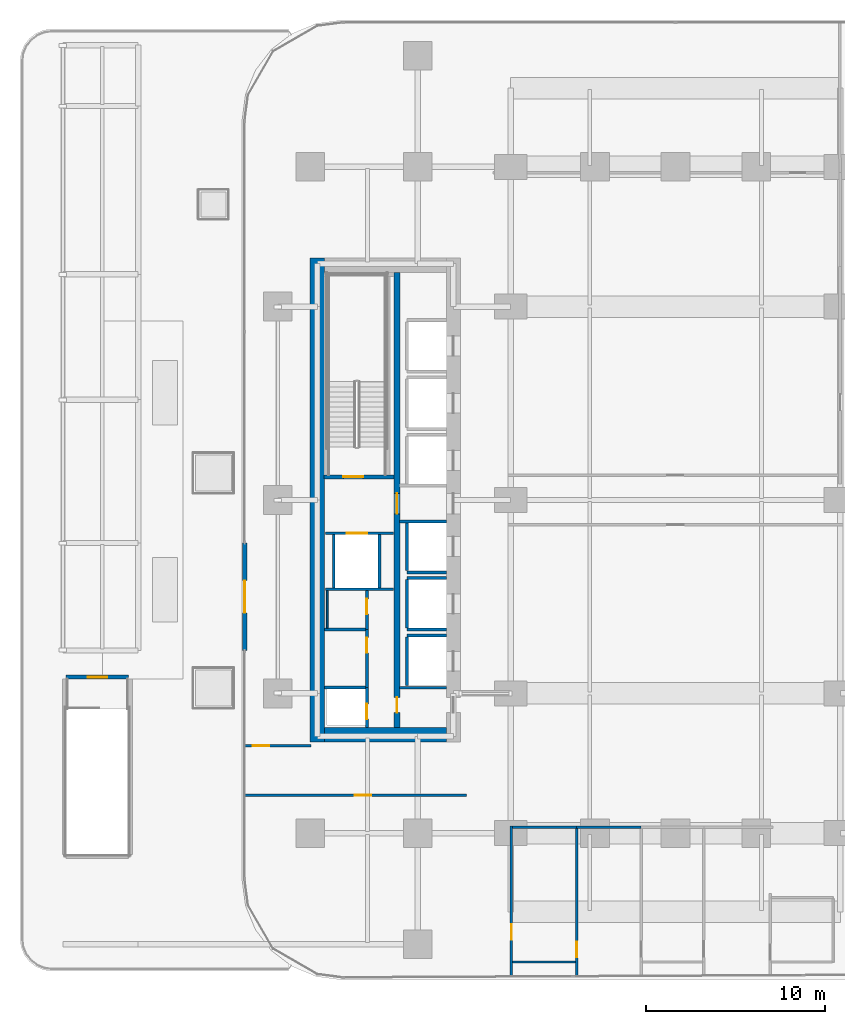
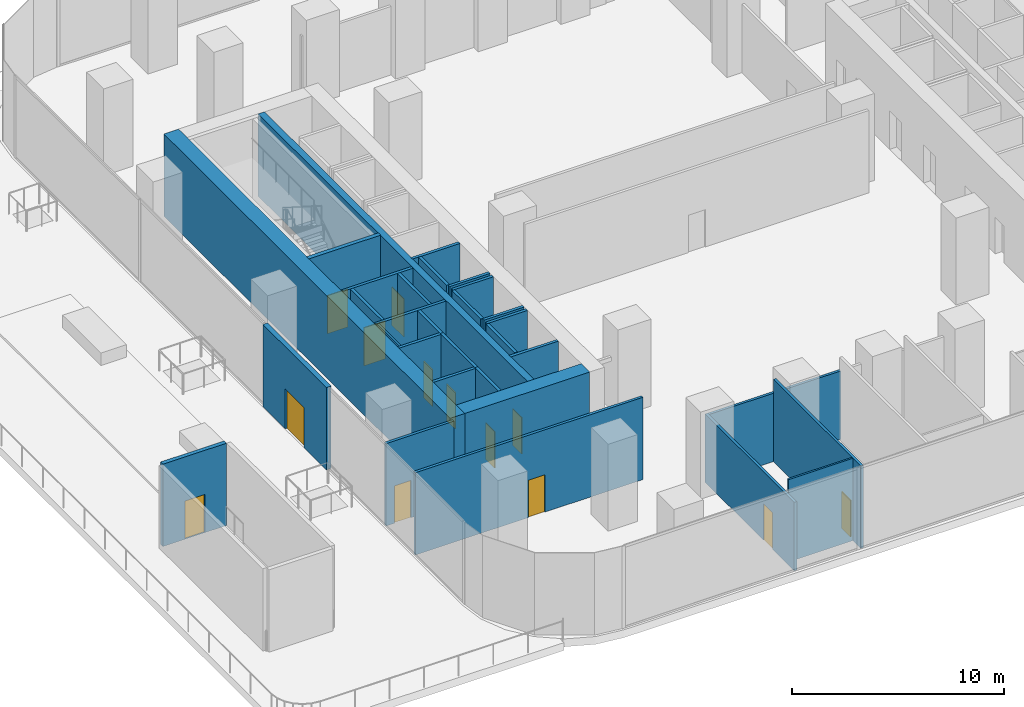
# One storey, part 6 of 21: 32 walls, 13 doors, 13 openings.
"""IFC4 building model written with IfcOpenShell, lengths in metres."""

from ifc_helpers import new_model, si_unit, direction, frame, frame_2d, origin, place, context, subcontext, project, spatial, rectangle, extrude, material, layer, layer_set, type_object, element, fill, save


model = new_model("IFC4")

# Units and contexts
model_context = context("Model", 3, precision=1e-05, world=origin(), true_north=direction((0.0, 1.0)))
body_context = subcontext(model_context, "Body", "Model", "MODEL_VIEW")
ifc_project = project(units=[si_unit("LENGTHUNIT", "METRE"), si_unit("AREAUNIT", "SQUARE_METRE"), si_unit("VOLUMEUNIT", "CUBIC_METRE"), si_unit("PLANEANGLEUNIT", "RADIAN"), si_unit("MASSUNIT", "GRAM", prefix="KILO")], contexts=[model_context])

# Site, building, storey
site_placement = place(None, origin())
site = spatial("IfcSite", under=ifc_project, at=site_placement, CompositionType="ELEMENT")
building_placement = place(site_placement, origin())
building = spatial("IfcBuilding", under=site, at=building_placement, Name="Khairoan Windgate Tower", CompositionType="ELEMENT")
storey_placement = place(building_placement, frame((0.0, 0.0, 21.0)))
storey = spatial("IfcBuildingStorey", under=building, at=storey_placement, Name="L05", CompositionType="ELEMENT", Elevation=21.0)

# Walls
ifc_material_1 = material(Name="Moisture-Resistant Gypsum Partition", Category="gypsum")
ifc_layer_1 = layer(ifc_material_1, 0.10009765625, Name="Moisture-Resistant Gypsum Partition")
ifc_layer_set_1 = layer_set([ifc_layer_1], Name="Moisture-Resistant Gypsum Partition")
wall_type_1 = type_object("IfcWallType", Name="Bathroom Wet-Area Partition Wall", PredefinedType="PARTITIONING", material=ifc_layer_set_1)
wall_1_placement = place(storey_placement, frame((-19.449951171875, -7.14990234375, 0.0), z_axis=(0.0, 0.0, 1.0), x_axis=(0.0, 1.0, 0.0)))
element("IfcWall", 1, at=wall_1_placement, inside=storey, type_object=wall_type_1, Name="L05 Wet Room Side Wall 030", PredefinedType="PARTITIONING", context=body_context, shape_type="SweptSolid", body=[
    extrude(rectangle(XDim=2.08984375, YDim=0.10009765625, at=frame_2d((1.044921875, 0.0))), origin(), (0.0, 0.0, 1.0), 4.739990234375),
])
wall_2_placement = place(storey_placement, frame((-5.590087890625, -25.800048828125, 0.0), z_axis=(0.0, 0.0, 1.0), x_axis=(-1.0, 0.0, 0.0)))
element("IfcWall", 2, at=wall_2_placement, inside=storey, type_object=wall_type_1, Name="L05 Wet Room Side Wall 032", PredefinedType="PARTITIONING", context=body_context, shape_type="SweptSolid", body=[
    extrude(rectangle(XDim=3.5, YDim=0.10009765625, at=frame_2d((1.75, 0.0))), origin(), (0.0, 0.0, 1.0), 4.739990234375),
])
ifc_material_2 = material(Name="Concrete C40/50", Category="concrete")
ifc_layer_2 = layer(ifc_material_2, 0.159912109375, Name="Concrete C40/50")
ifc_layer_set_2 = layer_set([ifc_layer_2], Name="Concrete C40/50")
wall_type_2 = type_object("IfcWallType", Name="Core and Hoistway Enclosure Wall", PredefinedType="STANDARD", material=ifc_layer_set_2)
wall_3_placement = place(storey_placement, frame((-14.989990234375, -4.0400390625, 0.0), z_axis=(0.0, 0.0, 1.0), x_axis=(1.0, 0.0, 0.0)))
element("IfcWall", 3, at=wall_3_placement, inside=storey, type_object=wall_type_2, Name="L05 Lift PL4 Hoistway Divider S", PredefinedType="STANDARD", context=body_context, shape_type="SweptSolid", body=[
    extrude(rectangle(XDim=2.18994140625, YDim=0.159912109375, at=frame_2d((1.094970703125, 0.0))), origin(), (0.0, 0.0, 1.0), 4.739990234375),
])
wall_4_placement = place(storey_placement, frame((-14.989990234375, -3.949951171875, 0.0), z_axis=(0.0, 0.0, 1.0), x_axis=(0.0, 1.0, 0.0)))
element("IfcWall", 4, at=wall_4_placement, inside=storey, type_object=wall_type_2, Name="L05 Lift PL4 Hoistway Back Wall", PredefinedType="STANDARD", context=body_context, shape_type="SweptSolid", body=[
    extrude(rectangle(XDim=2.699951171875, YDim=0.159912109375, at=frame_2d((1.35009765625, 0.0))), origin(), (0.0, 0.0, 1.0), 4.739990234375),
])
for number, where, z_axis, x_axis, name in (
    (5, (-14.989990234375, -7.239990234375, 0.0), (0.0, 0.0, 1.0), (1.0, 0.0, 0.0), "L05 Lift PL5 Hoistway Divider S"),
    (6, (-14.989990234375, -4.360107421875, 0.0), (0.0, 0.0, 1.0), (1.0, 0.0, 0.0), "L05 Lift PL5 Hoistway Divider N"),
):
    element("IfcWall", number, at=place(storey_placement, frame(where, z_axis=z_axis, x_axis=x_axis)), inside=storey, type_object=wall_type_2, Name=name, PredefinedType="STANDARD", context=body_context, shape_type="SweptSolid", body=[
        extrude(rectangle(XDim=2.18994140625, YDim=0.159912109375, at=frame_2d((1.094970703125, 0.0))), origin(), (0.0, 0.0, 1.0), 4.739990234375),
    ])
wall_5_placement = place(storey_placement, frame((-14.989990234375, -7.14990234375, 0.0), z_axis=(0.0, 0.0, 1.0), x_axis=(0.0, 1.0, 0.0)))
element("IfcWall", 7, at=wall_5_placement, inside=storey, type_object=wall_type_2, Name="L05 Lift PL5 Hoistway Back Wall", PredefinedType="STANDARD", context=body_context, shape_type="SweptSolid", body=[
    extrude(rectangle(XDim=2.699951171875, YDim=0.159912109375, at=frame_2d((1.35009765625, 0.0))), origin(), (0.0, 0.0, 1.0), 4.739990234375),
])
wall_6_placement = place(storey_placement, frame((-14.989990234375, -7.56005859375, 0.0), z_axis=(0.0, 0.0, 1.0), x_axis=(1.0, 0.0, 0.0)))
element("IfcWall", 8, at=wall_6_placement, inside=storey, type_object=wall_type_2, Name="L05 Lift PL6 Hoistway Divider N", PredefinedType="STANDARD", context=body_context, shape_type="SweptSolid", body=[
    extrude(rectangle(XDim=2.18994140625, YDim=0.159912109375, at=frame_2d((1.094970703125, 0.0))), origin(), (0.0, 0.0, 1.0), 4.739990234375),
])
wall_7_placement = place(storey_placement, frame((-14.989990234375, -10.35009765625, 0.0), z_axis=(0.0, 0.0, 1.0), x_axis=(0.0, 1.0, 0.0)))
element("IfcWall", 9, at=wall_7_placement, inside=storey, type_object=wall_type_2, Name="L05 Lift PL6 Hoistway Back Wall", PredefinedType="STANDARD", context=body_context, shape_type="SweptSolid", body=[
    extrude(rectangle(XDim=2.7001953125, YDim=0.159912109375, at=frame_2d((1.35009765625, 0.0))), origin(), (0.0, 0.0, 1.0), 4.739990234375),
])

# Wall, opening, door
wall_8_placement = place(storey_placement, frame((-19.550048828125, -1.860107421875, 0.0), z_axis=(0.0, 0.0, 1.0), x_axis=(1.0, 0.0, 0.0)))
wall_8 = element("IfcWall", 10, at=wall_8_placement, inside=storey, type_object=wall_type_2, Name="L05 Core Shaft Wall SW-FL2-L05", PredefinedType="STANDARD", context=body_context, shape_type="SweptSolid", body=[
    extrude(rectangle(XDim=3.800048828125, YDim=0.159912109375, at=frame_2d((1.89990234375, 0.0))), origin(), (0.0, 0.0, 1.0), 4.739990234375),
])
opening_1_placement = place(wall_8_placement, frame((1.179931640625, 0.0, 0.0)))
opening_1 = element("IfcOpeningElement", 11, at=opening_1_placement, cuts=wall_8, Name="Opening LD-FL", PredefinedType="OPENING", context=body_context, shape_type="SweptSolid", body=[
    extrude(rectangle(XDim=1.14990234375, YDim=2.199951171875, at=frame_2d((0.574951171875, 1.10009765625))), frame((0.0, 0.08984375, 0.0), z_axis=(0.0, -1.0, 0.0), x_axis=(1.0, 0.0, 0.0)), (0.0, 0.0, 1.0), 0.179931640625),
])
ifc_material_3 = material(Name="Steel S355", Category="steel")
door_type_1 = type_object("IfcDoorType", Name="Firefighting Lift Sliding Landing Door LD-FL 1150x2200", OperationType="DOUBLE_DOOR_SLIDING", PredefinedType="DOOR", material=ifc_material_3)
door_1_placement = place(opening_1_placement, origin())
door_1 = element("IfcDoor", 12, at=door_1_placement, inside=storey, type_object=door_type_1, Name="L05 Firefighting Lift FL2 Landing Door", OperationType="DOUBLE_DOOR_SLIDING", OverallHeight=2.199951171875, OverallWidth=1.14990234375, PredefinedType="DOOR", context=body_context, shape_type="SweptSolid", body=[
    extrude(rectangle(XDim=1.14990234375, YDim=2.199951171875, at=frame_2d((0.574951171875, 1.10009765625))), frame((0.0, 0.02490234375, 0.0), z_axis=(0.0, -1.0, 0.0), x_axis=(1.0, 0.0, 0.0)), (0.0, 0.0, 1.0), 0.050048828125),
])
fill(opening_1, door_1)

# Walls
wall_9_placement = place(storey_placement, frame((-19.550048828125, -4.97998046875, 0.0), z_axis=(0.0, 0.0, 1.0), x_axis=(1.0, 0.0, 0.0)))
element("IfcWall", 13, at=wall_9_placement, inside=storey, type_object=wall_type_2, Name="L05 Core Shaft Wall SW-FL2B-L05", PredefinedType="STANDARD", context=body_context, shape_type="SweptSolid", body=[
    extrude(rectangle(XDim=3.800048828125, YDim=0.159912109375, at=frame_2d((1.89990234375, 0.0))), origin(), (0.0, 0.0, 1.0), 4.739990234375),
])
for number, where, z_axis, x_axis, name in (
    (14, (-19.080078125, -4.89990234375, 0.0), (0.0, 0.0, 1.0), (0.0, 1.0, 0.0), "L05 Core Shaft Wall SW-FL2W-L05"),
    (15, (-16.52001953125, -4.89990234375, 0.0), (0.0, 0.0, 1.0), (0.0, 1.0, 0.0), "L05 Core Shaft Wall SW-FL2E-L05"),
):
    element("IfcWall", number, at=place(storey_placement, frame(where, z_axis=z_axis, x_axis=x_axis)), inside=storey, type_object=wall_type_2, Name=name, PredefinedType="STANDARD", context=body_context, shape_type="SweptSolid", body=[
        extrude(rectangle(XDim=2.9599609375, YDim=0.159912109375, at=frame_2d((1.47998046875, 0.0))), origin(), (0.0, 0.0, 1.0), 4.739990234375),
    ])
for number, where, z_axis, x_axis, name in (
    (16, (-15.39990234375, -1.199951171875, 0.0), (0.0, 0.0, 1.0), (1.0, 0.0, 0.0), "L05 Core Shaft Wall SW-WV2-L05"),
    (17, (-15.39990234375, -10.47998046875, 0.0), (0.0, 0.0, 1.0), (1.0, 0.0, 0.0), "L05 Core Shaft Wall SW-WSV-L05"),
):
    element("IfcWall", number, at=place(storey_placement, frame(where, z_axis=z_axis, x_axis=x_axis)), inside=storey, type_object=wall_type_2, Name=name, PredefinedType="STANDARD", context=body_context, shape_type="SweptSolid", body=[
        extrude(rectangle(XDim=2.599853515625, YDim=0.159912109375, at=frame_2d((1.2998046875, 0.0))), origin(), (0.0, 0.0, 1.0), 4.739990234375),
    ])

# Wall, opening, door
ifc_material_4 = material(Name="Precast Concrete C40/50", Category="concrete")
ifc_layer_3 = layer(ifc_material_4, 0.260009765625, Name="Precast Concrete C40/50")
ifc_layer_set_3 = layer_set([ifc_layer_3], Name="Precast Concrete C40/50")
wall_type_3 = type_object("IfcWallType", Name="Insulated Tower Facade Wall EW2 260mm", PredefinedType="STANDARD", material=ifc_layer_set_3)
wall_10_placement = place(storey_placement, frame((-24.06005859375, -8.39990234375, 0.0), z_axis=(0.0, 0.0, 1.0), x_axis=(0.0, 1.0, 0.0)))
wall_10 = element("IfcWall", 18, at=wall_10_placement, inside=storey, type_object=wall_type_3, Name="L05 West Terrace Access Wall", PredefinedType="STANDARD", context=body_context, shape_type="SweptSolid", body=[
    extrude(rectangle(XDim=6.0, YDim=0.260009765625, at=frame_2d((3.0, 0.0))), origin(), (0.0, 0.0, 1.0), 4.739990234375),
])
opening_2_placement = place(wall_10_placement, frame((2.10009765625, 0.0, 0.0)))
opening_2 = element("IfcOpeningElement", 19, at=opening_2_placement, cuts=wall_10, Name="Opening TD1", PredefinedType="OPENING", context=body_context, shape_type="SweptSolid", body=[
    extrude(rectangle(XDim=1.800048828125, YDim=2.300048828125, at=frame_2d((0.89990234375, 1.14990234375))), frame((0.0, 0.139892578125, 0.0), z_axis=(0.0, -1.0, 0.0), x_axis=(1.0, 0.0, 0.0)), (0.0, 0.0, 1.0), 0.280029296875),
])
ifc_material_5 = material(Name="Anodised Bronze Aluminium 6063-T6", Category="aluminium")
door_type_2 = type_object("IfcDoorType", Name="Glazed Double Terrace Door TD-1800", OperationType="DOUBLE_DOOR_SINGLE_SWING", PredefinedType="DOOR", material=ifc_material_5)
door_2_placement = place(opening_2_placement, origin())
door_2 = element("IfcDoor", 20, at=door_2_placement, inside=storey, type_object=door_type_2, Name="West Podium Roof Terrace Door TD-01", OperationType="DOUBLE_DOOR_SINGLE_SWING", OverallHeight=2.300048828125, OverallWidth=1.800048828125, PredefinedType="DOOR", context=body_context, shape_type="SweptSolid", body=[
    extrude(rectangle(XDim=1.800048828125, YDim=2.300048828125, at=frame_2d((0.89990234375, 1.14990234375))), frame((0.0, 0.02490234375, 0.0), z_axis=(0.0, -1.0, 0.0), x_axis=(1.0, 0.0, 0.0)), (0.0, 0.0, 1.0), 0.050048828125),
])
fill(opening_2, door_2)

ifc_material_6 = material(Name="Acoustic Fire-Rated Gypsum Partition", Category="gypsum")
ifc_layer_4 = layer(ifc_material_6, 0.139892578125, Name="Acoustic Fire-Rated Gypsum Partition")
ifc_layer_set_4 = layer_set([ifc_layer_4], Name="Acoustic Fire-Rated Gypsum Partition")
wall_type_4 = type_object("IfcWallType", Name="Inter-Tenancy Compartment Wall", PredefinedType="PARTITIONING", material=ifc_layer_set_4)
wall_11_placement = place(storey_placement, frame((-9.159912109375, -26.609375, 0.0), z_axis=(0.0, 0.0, 1.0), x_axis=(0.0, 1.0, 0.0)))
wall_11 = element("IfcWall", 21, at=wall_11_placement, inside=storey, type_object=wall_type_4, Name="L05 Interior Partition 020", PredefinedType="PARTITIONING", context=body_context, shape_type="SweptSolid", body=[
    extrude(rectangle(XDim=8.3994140625, YDim=0.139892578125, at=frame_2d((4.19970703125, 0.0))), origin(), (0.0, 0.0, 1.0), 3.93994140625),
])
opening_3_placement = place(wall_11_placement, frame((2.067138671875, 0.0, 0.0)))
opening_3 = element("IfcOpeningElement", 22, at=opening_3_placement, cuts=wall_11, Name="Opening FD-SRV", PredefinedType="OPENING", context=body_context, shape_type="SweptSolid", body=[
    extrude(rectangle(XDim=0.85009765625, YDim=2.10009765625, at=frame_2d((0.425048828125, 1.050048828125))), frame((0.0, 0.079833984375, 0.0), z_axis=(0.0, -1.0, 0.0), x_axis=(1.0, 0.0, 0.0)), (0.0, 0.0, 1.0), 0.159912109375),
])
ifc_material_7 = material(Name="Steel S355", Category="steel")
door_type_3 = type_object("IfcDoorType", Name="Core Service and Riser Fire Door FD-SRV 850x2100", OperationType="NOTDEFINED", PredefinedType="DOOR", material=ifc_material_7)
door_3_placement = place(opening_3_placement, origin())
door_3 = element("IfcDoor", 23, at=door_3_placement, inside=storey, type_object=door_type_3, Name="L05 L05-37-L05-41 Door", OperationType="SINGLE_SWING_LEFT", OverallHeight=2.10009765625, OverallWidth=0.85009765625, PredefinedType="DOOR", context=body_context, shape_type="SweptSolid", body=[
    extrude(rectangle(XDim=0.85009765625, YDim=2.10009765625, at=frame_2d((0.425048828125, 1.050048828125))), frame((0.0, 0.02490234375, 0.0), z_axis=(0.0, -1.0, 0.0), x_axis=(1.0, 0.0, 0.0)), (0.0, 0.0, 1.0), 0.050048828125),
])
fill(opening_3, door_3)

# Walls
wall_12_placement = place(storey_placement, frame((-9.090087890625, -18.280029296875, 0.0), z_axis=(0.0, 0.0, 1.0), x_axis=(1.0, 0.0, 0.0)))
element("IfcWall", 24, at=wall_12_placement, inside=storey, type_object=wall_type_4, Name="L05 Interior Partition 022", PredefinedType="PARTITIONING", context=body_context, shape_type="SweptSolid", body=[
    extrude(rectangle(XDim=3.570068359375, YDim=0.139892578125, at=frame_2d((1.78515625, 0.0))), origin(), (0.0, 0.0, 1.0), 3.93994140625),
])
wall_13_placement = place(storey_placement, frame((-5.52001953125, -18.280029296875, 0.0), z_axis=(0.0, 0.0, 1.0), x_axis=(1.0, 0.0, 0.0)))
element("IfcWall", 25, at=wall_13_placement, inside=storey, type_object=wall_type_4, Name="L05 Interior Partition 023", PredefinedType="PARTITIONING", context=body_context, shape_type="SweptSolid", body=[
    extrude(rectangle(XDim=3.60009765625, YDim=0.139892578125, at=frame_2d((1.800048828125, 0.0))), origin(), (0.0, 0.0, 1.0), 3.93994140625),
])

# Wall, opening, door
wall_14_placement = place(storey_placement, frame((-5.52001953125, -26.591552734375, 0.0), z_axis=(0.0, 0.0, 1.0), x_axis=(0.0, 1.0, 0.0)))
wall_14 = element("IfcWall", 26, at=wall_14_placement, inside=storey, type_object=wall_type_4, Name="L05 Interior Partition 026", PredefinedType="PARTITIONING", context=body_context, shape_type="SweptSolid", body=[
    extrude(rectangle(XDim=8.241455078125, YDim=0.139892578125, at=frame_2d((4.12060546875, 0.0))), origin(), (0.0, 0.0, 1.0), 4.739990234375),
])
opening_4_placement = place(wall_14_placement, frame((1.066650390625, 0.0, 0.0)))
opening_4 = element("IfcOpeningElement", 27, at=opening_4_placement, cuts=wall_14, Name="Opening FD-SRV", PredefinedType="OPENING", context=body_context, shape_type="SweptSolid", body=[
    extrude(rectangle(XDim=0.85009765625, YDim=2.10009765625, at=frame_2d((0.425048828125, 1.050048828125))), frame((0.0, 0.079833984375, 0.0), z_axis=(0.0, -1.0, 0.0), x_axis=(1.0, 0.0, 0.0)), (0.0, 0.0, 1.0), 0.159912109375),
])
door_4_placement = place(opening_4_placement, origin())
door_4 = element("IfcDoor", 28, at=door_4_placement, inside=storey, type_object=door_type_3, Name="L05 L05-41-L05-42 Door", OperationType="SINGLE_SWING_RIGHT", OverallHeight=2.10009765625, OverallWidth=0.85009765625, PredefinedType="DOOR", context=body_context, shape_type="SweptSolid", body=[
    extrude(rectangle(XDim=0.85009765625, YDim=2.10009765625, at=frame_2d((0.425048828125, 1.050048828125))), frame((0.0, 0.02490234375, 0.0), z_axis=(0.0, -1.0, 0.0), x_axis=(1.0, 0.0, 0.0)), (0.0, 0.0, 1.0), 0.050048828125),
])
fill(opening_4, door_4)

ifc_material_8 = material(Name="Concrete C40/50", Category="concrete")
ifc_layer_5 = layer(ifc_material_8, 0.159912109375, Name="Concrete C40/50")
ifc_layer_set_5 = layer_set([ifc_layer_5], Name="Concrete C40/50")
wall_type_5 = type_object("IfcWallType", Name="Plant and Refuge Compartment Wall", PredefinedType="PARTITIONING", material=ifc_layer_set_5)
wall_15_placement = place(storey_placement, frame((-17.22998046875, -12.699951171875, 0.0), z_axis=(0.0, 0.0, 1.0), x_axis=(0.0, 1.0, 0.0)))
wall_15 = element("IfcWall", 29, at=wall_15_placement, inside=storey, type_object=wall_type_5, Name="L05 Interior Partition 001", PredefinedType="PARTITIONING", context=body_context, shape_type="SweptSolid", body=[
    extrude(rectangle(XDim=2.22998046875, YDim=0.159912109375, at=frame_2d((1.114990234375, 0.0))), origin(), (0.0, 0.0, 1.0), 4.739990234375),
])
opening_5_placement = place(wall_15_placement, frame((0.4599609375, 0.0, 0.0)))
opening_5 = element("IfcOpeningElement", 30, at=opening_5_placement, cuts=wall_15, Name="Opening FD-SRV", PredefinedType="OPENING", context=body_context, shape_type="SweptSolid", body=[
    extrude(rectangle(XDim=0.85009765625, YDim=2.10009765625, at=frame_2d((0.425048828125, 1.050048828125))), frame((0.0, 0.08984375, 0.0), z_axis=(0.0, -1.0, 0.0), x_axis=(1.0, 0.0, 0.0)), (0.0, 0.0, 1.0), 0.179931640625),
])
door_5_placement = place(opening_5_placement, origin())
door_5 = element("IfcDoor", 31, at=door_5_placement, inside=storey, type_object=door_type_3, Name="L05 L05-04-L05-05 Door", OperationType="SINGLE_SWING_LEFT", OverallHeight=2.10009765625, OverallWidth=0.85009765625, PredefinedType="DOOR", context=body_context, shape_type="SweptSolid", body=[
    extrude(rectangle(XDim=0.85009765625, YDim=2.10009765625, at=frame_2d((0.425048828125, 1.050048828125))), frame((0.0, 0.02490234375, 0.0), z_axis=(0.0, -1.0, 0.0), x_axis=(1.0, 0.0, 0.0)), (0.0, 0.0, 1.0), 0.050048828125),
])
fill(opening_5, door_5)

wall_16_placement = place(storey_placement, frame((-17.22998046875, -7.22998046875, 0.0), z_axis=(0.0, 0.0, 1.0), x_axis=(0.0, 1.0, 0.0)))
wall_16 = element("IfcWall", 32, at=wall_16_placement, inside=storey, type_object=wall_type_5, Name="L05 Interior Partition 002", PredefinedType="PARTITIONING", context=body_context, shape_type="SweptSolid", body=[
    extrude(rectangle(XDim=2.169921875, YDim=0.159912109375, at=frame_2d((1.0849609375, 0.0))), origin(), (0.0, 0.0, 1.0), 4.739990234375),
])
opening_6_placement = place(wall_16_placement, frame((0.860107421875, 0.0, 0.0)))
opening_6 = element("IfcOpeningElement", 33, at=opening_6_placement, cuts=wall_16, Name="Opening FD-SRV", PredefinedType="OPENING", context=body_context, shape_type="SweptSolid", body=[
    extrude(rectangle(XDim=0.85009765625, YDim=2.10009765625, at=frame_2d((0.425048828125, 1.050048828125))), frame((0.0, 0.08984375, 0.0), z_axis=(0.0, -1.0, 0.0), x_axis=(1.0, 0.0, 0.0)), (0.0, 0.0, 1.0), 0.179931640625),
])
door_6_placement = place(opening_6_placement, origin())
door_6 = element("IfcDoor", 34, at=door_6_placement, inside=storey, type_object=door_type_3, Name="L05 L05-04-L05-06 Door", OperationType="SINGLE_SWING_RIGHT", OverallHeight=2.10009765625, OverallWidth=0.85009765625, PredefinedType="DOOR", context=body_context, shape_type="SweptSolid", body=[
    extrude(rectangle(XDim=0.85009765625, YDim=2.10009765625, at=frame_2d((0.425048828125, 1.050048828125))), frame((0.0, 0.02490234375, 0.0), z_axis=(0.0, -1.0, 0.0), x_axis=(1.0, 0.0, 0.0)), (0.0, 0.0, 1.0), 0.050048828125),
])
fill(opening_6, door_6)

wall_17_placement = place(storey_placement, frame((-17.22998046875, -10.469970703125, 0.0), z_axis=(0.0, 0.0, 1.0), x_axis=(0.0, 1.0, 0.0)))
wall_17 = element("IfcWall", 35, at=wall_17_placement, inside=storey, type_object=wall_type_5, Name="L05 Interior Partition 003", PredefinedType="PARTITIONING", context=body_context, shape_type="SweptSolid", body=[
    extrude(rectangle(XDim=3.239990234375, YDim=0.159912109375, at=frame_2d((1.6201171875, 0.0))), origin(), (0.0, 0.0, 1.0), 4.739990234375),
])
opening_7_placement = place(wall_17_placement, frame((1.929931640625, 0.0, 0.0)))
opening_7 = element("IfcOpeningElement", 36, at=opening_7_placement, cuts=wall_17, Name="Opening FD-SRV", PredefinedType="OPENING", context=body_context, shape_type="SweptSolid", body=[
    extrude(rectangle(XDim=0.85009765625, YDim=2.10009765625, at=frame_2d((0.425048828125, 1.050048828125))), frame((0.0, 0.08984375, 0.0), z_axis=(0.0, -1.0, 0.0), x_axis=(1.0, 0.0, 0.0)), (0.0, 0.0, 1.0), 0.179931640625),
])
door_7_placement = place(opening_7_placement, origin())
door_7 = element("IfcDoor", 37, at=door_7_placement, inside=storey, type_object=door_type_3, Name="L05 L05-04-L05-07 Door", OperationType="SINGLE_SWING_LEFT", OverallHeight=2.10009765625, OverallWidth=0.85009765625, PredefinedType="DOOR", context=body_context, shape_type="SweptSolid", body=[
    extrude(rectangle(XDim=0.85009765625, YDim=2.10009765625, at=frame_2d((0.425048828125, 1.050048828125))), frame((0.0, 0.02490234375, 0.0), z_axis=(0.0, -1.0, 0.0), x_axis=(1.0, 0.0, 0.0)), (0.0, 0.0, 1.0), 0.050048828125),
])
fill(opening_7, door_7)

# Walls
for number, where, z_axis, x_axis, name in (
    (38, (-19.60009765625, -10.469970703125, 0.0), (0.0, 0.0, 1.0), (1.0, 0.0, 0.0), "L05 Interior Partition 004"),
    (39, (-19.60009765625, -7.22998046875, 0.0), (0.0, 0.0, 1.0), (1.0, 0.0, 0.0), "L05 Interior Partition 005"),
):
    element("IfcWall", number, at=place(storey_placement, frame(where, z_axis=z_axis, x_axis=x_axis)), inside=storey, type_object=wall_type_5, Name=name, PredefinedType="PARTITIONING", context=body_context, shape_type="SweptSolid", body=[
        extrude(rectangle(XDim=2.2900390625, YDim=0.159912109375, at=frame_2d((1.14501953125, 0.0))), origin(), (0.0, 0.0, 1.0), 4.739990234375),
    ])

# Wall, opening, door
ifc_material_9 = material(Name="Acoustic Fire-Rated Gypsum Partition", Category="gypsum")
ifc_layer_6 = layer(ifc_material_9, 0.14990234375, Name="Acoustic Fire-Rated Gypsum Partition")
ifc_layer_set_6 = layer_set([ifc_layer_6], Name="Acoustic Fire-Rated Gypsum Partition")
wall_type_6 = type_object("IfcWallType", Name="Rated Corridor Partition Wall", PredefinedType="PARTITIONING", material=ifc_layer_set_6)
wall_18_placement = place(storey_placement, frame((-24.054931640625, -13.719970703125, 0.0), z_axis=(0.0, 0.0, 1.0), x_axis=(1.0, 0.0, 0.0)))
wall_18 = element("IfcWall", 40, at=wall_18_placement, inside=storey, type_object=wall_type_6, Name="L05 Interior Partition 014", PredefinedType="PARTITIONING", context=body_context, shape_type="SweptSolid", body=[
    extrude(rectangle(XDim=3.69482421875, YDim=0.14990234375, at=frame_2d((1.847412109375, 0.0))), origin(), (0.0, 0.0, 1.0), 4.739990234375),
])
opening_8_placement = place(wall_18_placement, frame((0.4599609375, 0.0, 0.0)))
opening_8 = element("IfcOpeningElement", 41, at=opening_8_placement, cuts=wall_18, Name="Opening FD-ENT", PredefinedType="OPENING", context=body_context, shape_type="SweptSolid", body=[
    extrude(rectangle(XDim=0.89990234375, YDim=2.14990234375, at=frame_2d((0.449951171875, 1.074951171875))), frame((0.0, 0.0849609375, 0.0), z_axis=(0.0, -1.0, 0.0), x_axis=(1.0, 0.0, 0.0)), (0.0, 0.0, 1.0), 0.169921875),
])
ifc_material_10 = material(Name="Timber Fire-Rated Core", Category="wood")
door_type_4 = type_object("IfcDoorType", Name="Unit and Office Fire Entrance Door FD-ENT 900x2150", OperationType="NOTDEFINED", PredefinedType="DOOR", material=ifc_material_10)
door_8_placement = place(opening_8_placement, origin())
door_8 = element("IfcDoor", 42, at=door_8_placement, inside=storey, type_object=door_type_4, Name="L05 L05-32-L05-34 Door", OperationType="SINGLE_SWING_RIGHT", OverallHeight=2.14990234375, OverallWidth=0.89990234375, PredefinedType="DOOR", context=body_context, shape_type="SweptSolid", body=[
    extrude(rectangle(XDim=0.89990234375, YDim=2.14990234375, at=frame_2d((0.449951171875, 1.074951171875))), frame((0.0, 0.02490234375, 0.0), z_axis=(0.0, -1.0, 0.0), x_axis=(1.0, 0.0, 0.0)), (0.0, 0.0, 1.0), 0.050048828125),
])
fill(opening_8, door_8)

wall_19_placement = place(storey_placement, frame((-24.054931640625, -16.47998046875, 0.0), z_axis=(0.0, 0.0, 1.0), x_axis=(1.0, 0.0, 0.0)))
wall_19 = element("IfcWall", 43, at=wall_19_placement, inside=storey, type_object=wall_type_6, Name="L05 Interior Partition 015", PredefinedType="PARTITIONING", context=body_context, shape_type="SweptSolid", body=[
    extrude(rectangle(XDim=12.39501953125, YDim=0.14990234375, at=frame_2d((6.197509765625, 0.0))), origin(), (0.0, 0.0, 1.0), 4.739990234375),
])
opening_9_placement = place(wall_19_placement, frame((6.154296875, 0.0, 0.0)))
opening_9 = element("IfcOpeningElement", 44, at=opening_9_placement, cuts=wall_19, Name="Opening FD-ENT", PredefinedType="OPENING", context=body_context, shape_type="SweptSolid", body=[
    extrude(rectangle(XDim=0.89990234375, YDim=2.14990234375, at=frame_2d((0.449951171875, 1.074951171875))), frame((0.0, 0.0849609375, 0.0), z_axis=(0.0, -1.0, 0.0), x_axis=(1.0, 0.0, 0.0)), (0.0, 0.0, 1.0), 0.169921875),
])
door_9_placement = place(opening_9_placement, origin())
door_9 = element("IfcDoor", 45, at=door_9_placement, inside=storey, type_object=door_type_4, Name="L05 L05-32-L05-37 Door", OperationType="SINGLE_SWING_LEFT", OverallHeight=2.14990234375, OverallWidth=0.89990234375, PredefinedType="DOOR", context=body_context, shape_type="SweptSolid", body=[
    extrude(rectangle(XDim=0.89990234375, YDim=2.14990234375, at=frame_2d((0.449951171875, 1.074951171875))), frame((0.0, 0.02490234375, 0.0), z_axis=(0.0, -1.0, 0.0), x_axis=(1.0, 0.0, 0.0)), (0.0, 0.0, 1.0), 0.050048828125),
])
fill(opening_9, door_9)

# Walls
ifc_material_11 = material(Name="Concrete C70/85", Category="concrete")
ifc_layer_7 = layer(ifc_material_11, 0.800048828125, Name="Concrete C70/85")
ifc_layer_set_7 = layer_set([ifc_layer_7], Name="Concrete C70/85")
wall_type_7 = type_object("IfcWallType", Name="Shear Wall CW-W1 800mm", PredefinedType="SHEAR", material=ifc_layer_set_7)
wall_20_placement = place(storey_placement, frame((-20.0, -13.5, 0.0), z_axis=(0.0, 0.0, 1.0), x_axis=(0.0, 1.0, 0.0)))
element("IfcWall", 46, at=wall_20_placement, inside=storey, type_object=wall_type_7, Name="W Core West Shear Wall L05", PredefinedType="SHEAR", context=body_context, shape_type="SweptSolid", body=[
    extrude(rectangle(XDim=27.0, YDim=0.800048828125, at=frame_2d((13.5, 0.0))), origin(), (0.0, 0.0, 1.0), 4.739990234375),
])
wall_21_placement = place(storey_placement, frame((-19.60009765625, -13.10009765625, 0.0), z_axis=(0.0, 0.0, 1.0), x_axis=(1.0, 0.0, 0.0)))
element("IfcWall", 47, at=wall_21_placement, inside=storey, type_object=wall_type_7, Name="W Core South Shear Wall L05", PredefinedType="SHEAR", context=body_context, shape_type="SweptSolid", body=[
    extrude(rectangle(XDim=6.800048828125, YDim=0.800048828125, at=frame_2d((3.39990234375, 0.0))), origin(), (0.0, 0.0, 1.0), 4.739990234375),
])

# Wall, openings, doors
ifc_material_12 = material(Name="Concrete C60/75", Category="concrete")
ifc_layer_8 = layer(ifc_material_12, 0.35009765625, Name="Concrete C60/75")
ifc_layer_set_8 = layer_set([ifc_layer_8], Name="Concrete C60/75")
wall_type_8 = type_object("IfcWallType", Name="Shear Wall SW-1 350mm", PredefinedType="SHEAR", material=ifc_layer_set_8)
wall_22_placement = place(storey_placement, frame((-15.550048828125, -12.699951171875, 0.0), z_axis=(0.0, 0.0, 1.0), x_axis=(0.0, 1.0, 0.0)))
wall_22 = element("IfcWall", 48, at=wall_22_placement, inside=storey, type_object=wall_type_8, Name="W Core Spine Shear Wall L05", PredefinedType="SHEAR", context=body_context, shape_type="SweptSolid", body=[
    extrude(rectangle(XDim=25.39990234375, YDim=0.35009765625, at=frame_2d((12.699951171875, 0.0))), origin(), (0.0, 0.0, 1.0), 4.739990234375),
])
opening_10_placement = place(wall_22_placement, frame((11.925048828125, 0.0, 0.0)))
opening_10 = element("IfcOpeningElement", 49, at=opening_10_placement, cuts=wall_22, Name="Opening FD-FFL", PredefinedType="OPENING", context=body_context, shape_type="SweptSolid", body=[
    extrude(rectangle(XDim=1.14990234375, YDim=2.199951171875, at=frame_2d((0.574951171875, 1.10009765625))), frame((0.0, 0.18505859375, 0.0), z_axis=(0.0, -1.0, 0.0), x_axis=(1.0, 0.0, 0.0)), (0.0, 0.0, 1.0), 0.3701171875),
])
opening_11_placement = place(wall_22_placement, frame((0.824951171875, 0.0, 0.0)))
opening_11 = element("IfcOpeningElement", 50, at=opening_11_placement, cuts=wall_22, Name="Opening FD-SRV", PredefinedType="OPENING", context=body_context, shape_type="SweptSolid", body=[
    extrude(rectangle(XDim=0.85009765625, YDim=2.10009765625, at=frame_2d((0.425048828125, 1.050048828125))), frame((0.0, 0.18505859375, 0.0), z_axis=(0.0, -1.0, 0.0), x_axis=(1.0, 0.0, 0.0)), (0.0, 0.0, 1.0), 0.3701171875),
])
door_10_placement = place(opening_11_placement, origin())
door_10 = element("IfcDoor", 51, at=door_10_placement, inside=storey, type_object=door_type_3, Name="L05 West Core Service Passage Inner Door", OperationType="SINGLE_SWING_RIGHT", OverallHeight=2.10009765625, OverallWidth=0.85009765625, PredefinedType="DOOR", context=body_context, shape_type="SweptSolid", body=[
    extrude(rectangle(XDim=0.85009765625, YDim=2.10009765625, at=frame_2d((0.425048828125, 1.050048828125))), frame((0.0, 0.02490234375, 0.0), z_axis=(0.0, -1.0, 0.0), x_axis=(1.0, 0.0, 0.0)), (0.0, 0.0, 1.0), 0.050048828125),
])
fill(opening_11, door_10)
ifc_material_13 = material(Name="Steel S355", Category="steel")
door_type_5 = type_object("IfcDoorType", Name="Firefighting Lobby Fire Door FD-FFL 1150x2200", OperationType="NOTDEFINED", PredefinedType="DOOR", material=ifc_material_13)
door_11_placement = place(opening_10_placement, origin())
door_11 = element("IfcDoor", 52, at=door_11_placement, inside=storey, type_object=door_type_5, Name="L05 West Firefighting Lobby Fire Door", OperationType="SINGLE_SWING_RIGHT", OverallHeight=2.199951171875, OverallWidth=1.14990234375, PredefinedType="DOOR", context=body_context, shape_type="SweptSolid", body=[
    extrude(rectangle(XDim=1.14990234375, YDim=2.199951171875, at=frame_2d((0.574951171875, 1.10009765625))), frame((0.0, 0.02490234375, 0.0), z_axis=(0.0, -1.0, 0.0), x_axis=(1.0, 0.0, 0.0)), (0.0, 0.0, 1.0), 0.050048828125),
])
fill(opening_10, door_11)

# Wall, opening, door
ifc_material_14 = material(Name="Concrete C50/60", Category="concrete")
ifc_layer_9 = layer(ifc_material_14, 0.219970703125, Name="Concrete C50/60")
ifc_layer_set_9 = layer_set([ifc_layer_9], Name="Concrete C50/60")
wall_type_9 = type_object("IfcWallType", Name="Shear Wall SW-ST 220mm", PredefinedType="SHEAR", material=ifc_layer_set_9)
wall_23_placement = place(storey_placement, frame((-19.6201171875, 1.2900390625, 0.0), z_axis=(0.0, 0.0, 1.0), x_axis=(1.0, 0.0, 0.0)))
wall_23 = element("IfcWall", 53, at=wall_23_placement, inside=storey, type_object=wall_type_9, Name="L05 Stair ST2 South Bearing Wall", PredefinedType="SHEAR", context=body_context, shape_type="SweptSolid", body=[
    extrude(rectangle(XDim=3.9150390625, YDim=0.219970703125, at=frame_2d((1.95751953125, 0.0))), origin(), (0.0, 0.0, 1.0), 4.739990234375),
])
opening_12_placement = place(wall_23_placement, frame((1.080078125, 0.0, 0.0)))
opening_12 = element("IfcOpeningElement", 54, at=opening_12_placement, cuts=wall_23, Name="Opening FD-ST", PredefinedType="OPENING", context=body_context, shape_type="SweptSolid", body=[
    extrude(rectangle(XDim=1.10009765625, YDim=2.199951171875, at=frame_2d((0.550048828125, 1.10009765625))), frame((0.0, 0.119873046875, 0.0), z_axis=(0.0, -1.0, 0.0), x_axis=(1.0, 0.0, 0.0)), (0.0, 0.0, 1.0), 0.239990234375),
])
ifc_material_15 = material(Name="Steel S355", Category="steel")
door_type_6 = type_object("IfcDoorType", Name="Smokeproof Stair Fire Door FD-ST 1100x2200", OperationType="NOTDEFINED", PredefinedType="DOOR", material=ifc_material_15)
door_12_placement = place(opening_12_placement, origin())
door_12 = element("IfcDoor", 55, at=door_12_placement, inside=storey, type_object=door_type_6, Name="L05 Stair ST2 Fire Door", OperationType="SINGLE_SWING_LEFT", OverallHeight=2.199951171875, OverallWidth=1.10009765625, PredefinedType="DOOR", context=body_context, shape_type="SweptSolid", body=[
    extrude(rectangle(XDim=1.10009765625, YDim=2.199951171875, at=frame_2d((0.550048828125, 1.10009765625))), frame((0.0, 0.02490234375, 0.0), z_axis=(0.0, -1.0, 0.0), x_axis=(1.0, 0.0, 0.0)), (0.0, 0.0, 1.0), 0.050048828125),
])
fill(opening_12, door_12)

wall_24_placement = place(storey_placement, frame((-30.550048828125, -9.889892578125, 0.0), z_axis=(0.0, 0.0, 1.0), x_axis=(-1.0, 0.0, 0.0)))
wall_24 = element("IfcWall", 56, at=wall_24_placement, inside=storey, type_object=wall_type_9, Name="L05 ST4 North Bearing Wall", PredefinedType="SHEAR", context=body_context, shape_type="SweptSolid", body=[
    extrude(rectangle(XDim=3.469970703125, YDim=0.219970703125, at=frame_2d((1.73486328125, 0.0))), origin(), (0.0, 0.0, 1.0), 4.739990234375),
])
opening_13_placement = place(wall_24_placement, frame((1.179931640625, 0.0, 0.0)))
opening_13 = element("IfcOpeningElement", 57, at=opening_13_placement, cuts=wall_24, Name="Opening FD-ST", PredefinedType="OPENING", context=body_context, shape_type="SweptSolid", body=[
    extrude(rectangle(XDim=1.10009765625, YDim=2.199951171875, at=frame_2d((0.550048828125, 1.10009765625))), frame((0.0, 0.119873046875, 0.0), z_axis=(0.0, -1.0, 0.0), x_axis=(1.0, 0.0, 0.0)), (0.0, 0.0, 1.0), 0.239990234375),
])
door_13_placement = place(opening_13_placement, origin())
door_13 = element("IfcDoor", 58, at=door_13_placement, inside=storey, type_object=door_type_6, Name="L05 Stair ST4 Fire Door", OperationType="SINGLE_SWING_LEFT", OverallHeight=2.199951171875, OverallWidth=1.10009765625, PredefinedType="DOOR", context=body_context, shape_type="SweptSolid", body=[
    extrude(rectangle(XDim=1.10009765625, YDim=2.199951171875, at=frame_2d((0.550048828125, 1.10009765625))), frame((0.0, 0.02490234375, 0.0), z_axis=(0.0, -1.0, 0.0), x_axis=(1.0, 0.0, 0.0)), (0.0, 0.0, 1.0), 0.050048828125),
])
fill(opening_13, door_13)

save(model, "model.ifc")
